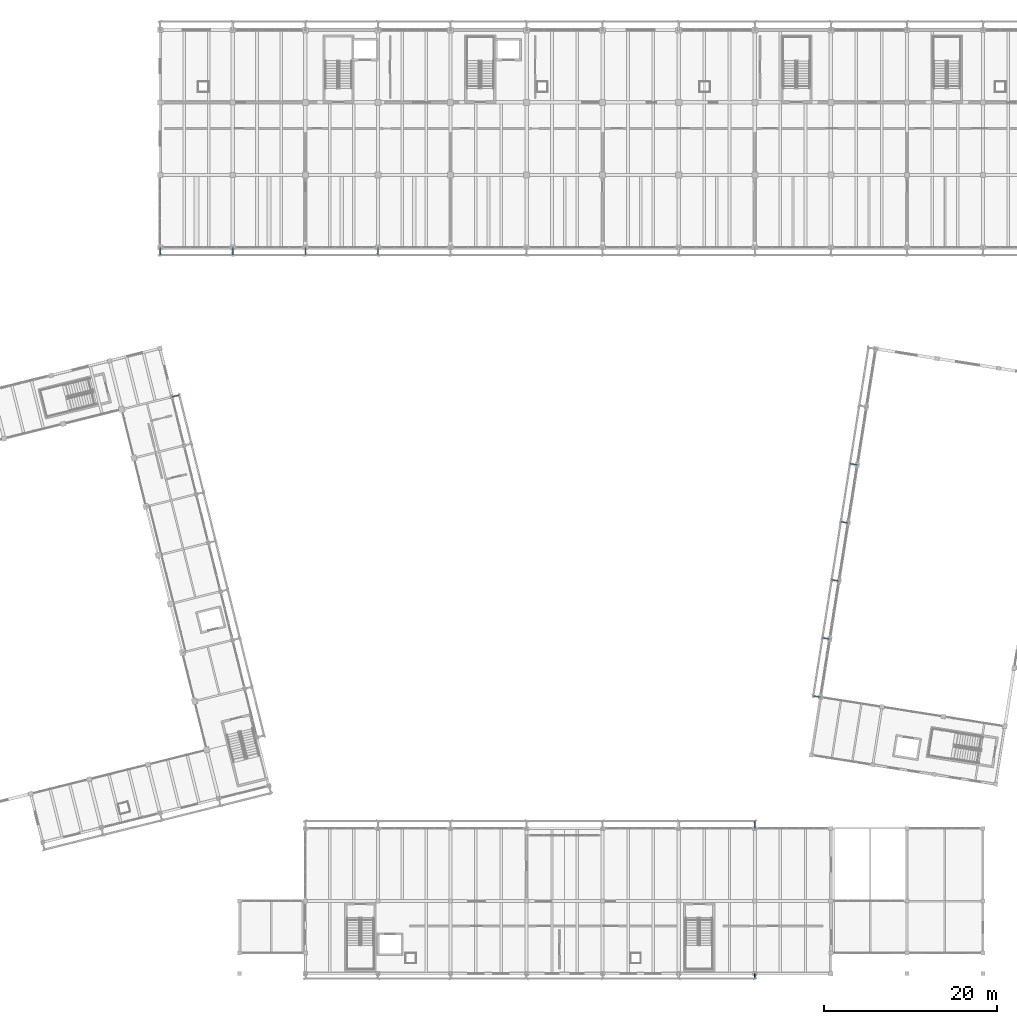
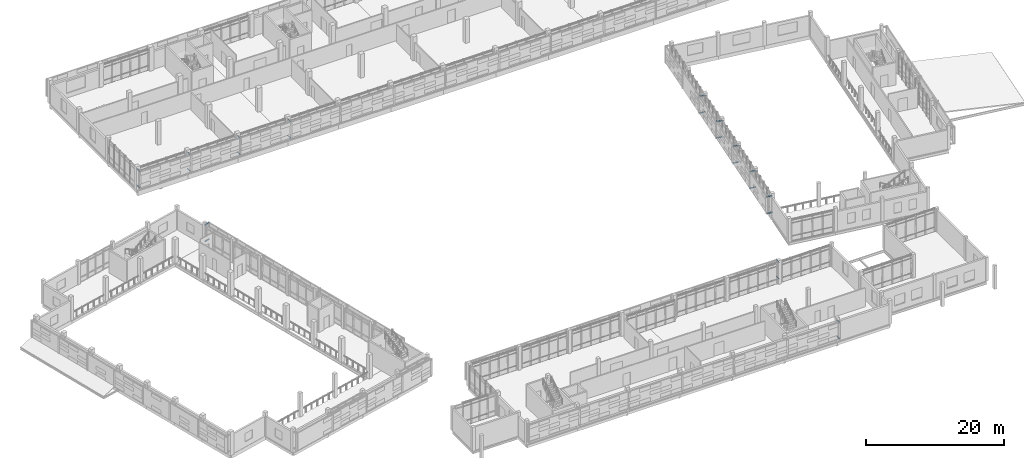
# One storey, part 91 of 137: 24 members.
"""IFC4 building model written with IfcOpenShell, lengths in metres."""

from ifc_helpers import new_model, si_unit, direction, frame, origin, origin_2d, place, context, subcontext, project, spatial, hollow_circle, extrude, material, material_profile, profile_set, type_object, element, save


model = new_model("IFC4")

# Units and contexts
model_context = context("Model", 3, precision=1e-05, world=origin(), true_north=direction((0.0, 1.0)))
body_context = subcontext(model_context, "Body", "Model", "MODEL_VIEW")
ifc_project = project(units=[si_unit("LENGTHUNIT", "METRE"), si_unit("AREAUNIT", "SQUARE_METRE"), si_unit("VOLUMEUNIT", "CUBIC_METRE"), si_unit("PLANEANGLEUNIT", "RADIAN"), si_unit("MASSUNIT", "GRAM", prefix="KILO")], contexts=[model_context])

# Site, building, storey
site_placement = place(None, origin())
site = spatial("IfcSite", under=ifc_project, at=site_placement, CompositionType="ELEMENT")
building_placement = place(site_placement, origin())
building = spatial("IfcBuilding", under=site, at=building_placement, Name="Cinderway Yard Community Centre", CompositionType="ELEMENT")
storey_placement = place(building_placement, frame((0.0, 0.0, 4.800048828125)))
storey = spatial("IfcBuildingStorey", under=building, at=storey_placement, Name="L01", CompositionType="ELEMENT", Elevation=4.800048828125)

# Members
ifc_material = material(Name="Steel S355", Category="steel")
ifc_material_profile = material_profile(ifc_material, hollow_circle(Radius=0.06982421875, WallThickness=0.00634765625, at=origin_2d()), Name="Steel S355")
ifc_profile_set = profile_set([ifc_material_profile], Name="Steel S355")
member_type = type_object("IfcMemberType", Name="STR-MEM-STRUT-CHS140", PredefinedType="STRUT", material=ifc_profile_set)
for number, where, z_axis, x_axis, name in (
    (1, (41.60009765625, 90.0, 0.7099609375), (0.0, -1.0, 0.0), (1.0, 0.0, 0.0), "Screen outrigger strut 0173"),
    (2, (41.60009765625, 90.0, 3.639892578125), (0.0, -1.0, 0.0), (1.0, 0.0, 0.0), "Screen outrigger strut 0174"),
    (3, (50.0, 90.0, 0.7099609375), (0.0, -1.0, 0.0), (1.0, 0.0, 0.0), "Screen outrigger strut 0177"),
    (4, (50.0, 90.0, 3.639892578125), (0.0, -1.0, 0.0), (1.0, 0.0, 0.0), "Screen outrigger strut 0178"),
    (5, (58.39990234375, 90.0, 0.7099609375), (0.0, -1.0, 0.0), (1.0, 0.0, 0.0), "Screen outrigger strut 0181"),
    (6, (58.39990234375, 90.0, 3.639892578125), (0.0, -1.0, 0.0), (1.0, 0.0, 0.0), "Screen outrigger strut 0182"),
    (7, (66.800048828125, 90.0, 0.7099609375), (0.0, -1.0, 0.0), (1.0, 0.0, 0.0), "Screen outrigger strut 0185"),
    (8, (66.800048828125, 90.0, 3.639892578125), (0.0, -1.0, 0.0), (1.0, 0.0, 0.0), "Screen outrigger strut 0186"),
):
    element("IfcMember", number, at=place(storey_placement, frame(where, z_axis=z_axis, x_axis=x_axis)), inside=storey, type_object=member_type, Name=name, PredefinedType="STRUT", context=body_context, shape_type="SweptSolid", body=[
        extrude(hollow_circle(Radius=0.06982421875, WallThickness=0.00634765625, at=origin_2d()), origin(), (0.0, 0.0, 1.0), 0.85009765625),
    ])
for number, where, z_axis, x_axis, name in (
    (9, (110.39990234375, 6.0, 0.7099609375), (0.0, -1.0, 0.0), (1.0, 0.0, 0.0), "Screen outrigger strut 0321"),
    (10, (110.39990234375, 6.0, 3.639892578125), (0.0, -1.0, 0.0), (1.0, 0.0, 0.0), "Screen outrigger strut 0322"),
):
    element("IfcMember", number, at=place(storey_placement, frame(where, z_axis=z_axis, x_axis=x_axis)), inside=storey, type_object=member_type, Name=name, PredefinedType="STRUT", context=body_context, shape_type="SweptSolid", body=[
        extrude(hollow_circle(Radius=0.06982421875, WallThickness=0.00634765625, at=origin_2d()), origin(), (0.0, 0.0, 1.0), 0.550048828125),
    ])
for number, where, z_axis, x_axis, name in (
    (11, (110.39990234375, 22.800048828125, 0.7099609375), (0.0, 1.0, 0.0), (-1.0, 0.0, 0.0), "Screen outrigger strut 0349"),
    (12, (110.39990234375, 22.800048828125, 3.639892578125), (0.0, 1.0, 0.0), (-1.0, 0.0, 0.0), "Screen outrigger strut 0350"),
):
    element("IfcMember", number, at=place(storey_placement, frame(where, z_axis=z_axis, x_axis=x_axis)), inside=storey, type_object=member_type, Name=name, PredefinedType="STRUT", context=body_context, shape_type="SweptSolid", body=[
        extrude(hollow_circle(Radius=0.06982421875, WallThickness=0.00634765625, at=origin_2d()), origin(), (0.0, 0.0, 1.0), 0.849853515625),
    ])
for number, where, z_axis, x_axis, name in (
    (13, (42.97705078125, 72.736083984375, 0.7099609375), (0.970260620758, 0.242062652648, 0.0), (-0.242062652648, 0.970260620758, 0.0), "Screen outrigger strut 0469"),
    (14, (42.97705078125, 72.736083984375, 3.639892578125), (0.970260620758, 0.242062652648, 0.0), (-0.242062652648, 0.970260620758, 0.0), "Screen outrigger strut 0470"),
):
    element("IfcMember", number, at=place(storey_placement, frame(where, z_axis=z_axis, x_axis=x_axis)), inside=storey, type_object=member_type, Name=name, PredefinedType="STRUT", context=body_context, shape_type="SweptSolid", body=[
        extrude(hollow_circle(Radius=0.06982421875, WallThickness=0.00634765625, at=origin_2d()), origin(), (0.0, 0.0, 1.0), 0.850341796875),
    ])
for number, where, z_axis, x_axis, name in (
    (15, (118.0, 38.0, 0.7099609375), (-0.987688378698, 0.156434224467, 0.0), (-0.156434224467, -0.987688378698, 0.0), "Screen outrigger strut 0577"),
    (16, (118.0, 38.0, 3.639892578125), (-0.987688378698, 0.156434224467, 0.0), (-0.156434224467, -0.987688378698, 0.0), "Screen outrigger strut 0578"),
):
    element("IfcMember", number, at=place(storey_placement, frame(where, z_axis=z_axis, x_axis=x_axis)), inside=storey, type_object=member_type, Name=name, PredefinedType="STRUT", context=body_context, shape_type="SweptSolid", body=[
        extrude(hollow_circle(Radius=0.06982421875, WallThickness=0.00634765625, at=origin_2d()), origin(), (0.0, 0.0, 1.0), 0.8505859375),
    ])
for number, where, z_axis, x_axis, name in (
    (17, (119.06396484375, 44.716064453125, 0.7099609375), (-0.987681351478, 0.156478586208, 0.0), (-0.156478586208, -0.987681351478, 0.0), "Screen outrigger strut 0581"),
    (18, (119.06396484375, 44.716064453125, 3.639892578125), (-0.987681351478, 0.156478586208, 0.0), (-0.156478586208, -0.987681351478, 0.0), "Screen outrigger strut 0582"),
    (19, (120.1279296875, 51.43310546875, 0.7099609375), (-0.987725687917, 0.15619848088, 0.0), (-0.15619848088, -0.987725687917, 0.0), "Screen outrigger strut 0585"),
    (20, (120.1279296875, 51.43310546875, 3.639892578125), (-0.987725687917, 0.15619848088, 0.0), (-0.15619848088, -0.987725687917, 0.0), "Screen outrigger strut 0586"),
    (21, (121.19091796875, 58.14892578125, 0.7099609375), (-0.987681351478, 0.156478586208, 0.0), (-0.156478586208, -0.987681351478, 0.0), "Screen outrigger strut 0589"),
    (22, (121.19091796875, 58.14892578125, 3.639892578125), (-0.987681351478, 0.156478586208, 0.0), (-0.156478586208, -0.987681351478, 0.0), "Screen outrigger strut 0590"),
    (23, (122.2548828125, 64.864990234375, 0.7099609375), (-0.987681351478, 0.156478586208, 0.0), (-0.156478586208, -0.987681351478, 0.0), "Screen outrigger strut 0593"),
    (24, (122.2548828125, 64.864990234375, 3.639892578125), (-0.987681351478, 0.156478586208, 0.0), (-0.156478586208, -0.987681351478, 0.0), "Screen outrigger strut 0594"),
):
    element("IfcMember", number, at=place(storey_placement, frame(where, z_axis=z_axis, x_axis=x_axis)), inside=storey, type_object=member_type, Name=name, PredefinedType="STRUT", context=body_context, shape_type="SweptSolid", body=[
        extrude(hollow_circle(Radius=0.06982421875, WallThickness=0.00634765625, at=origin_2d()), origin(), (0.0, 0.0, 1.0), 0.850341796875),
    ])

save(model, "model.ifc")
